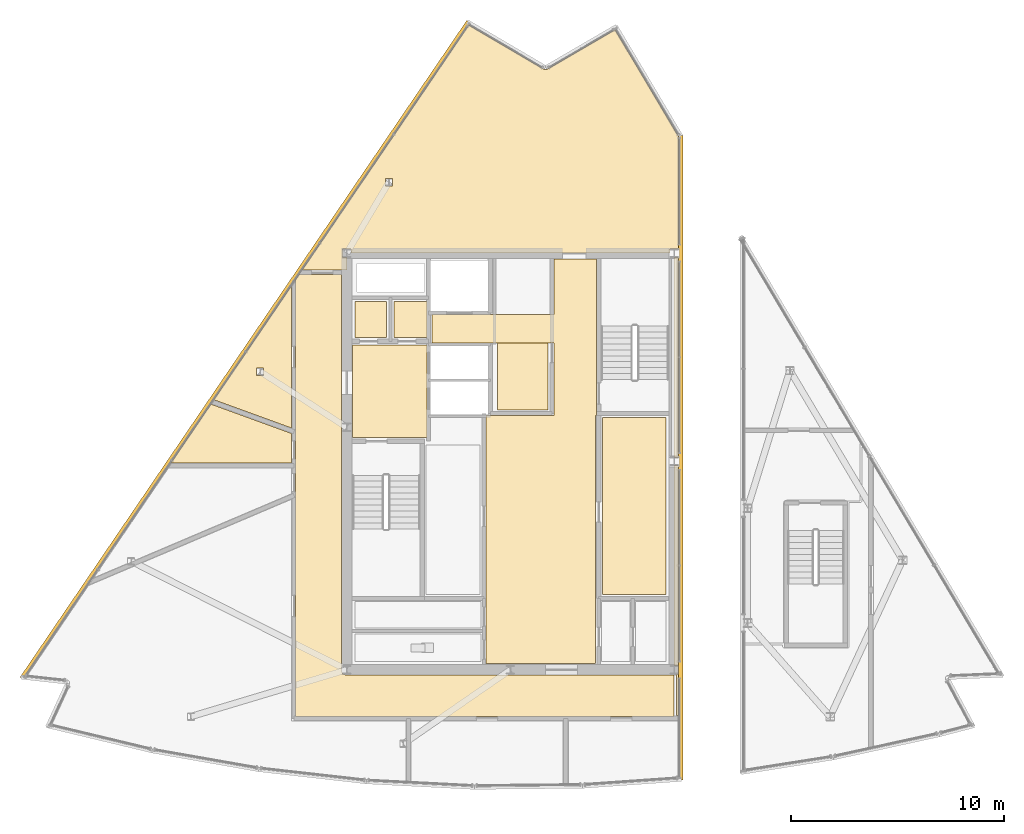
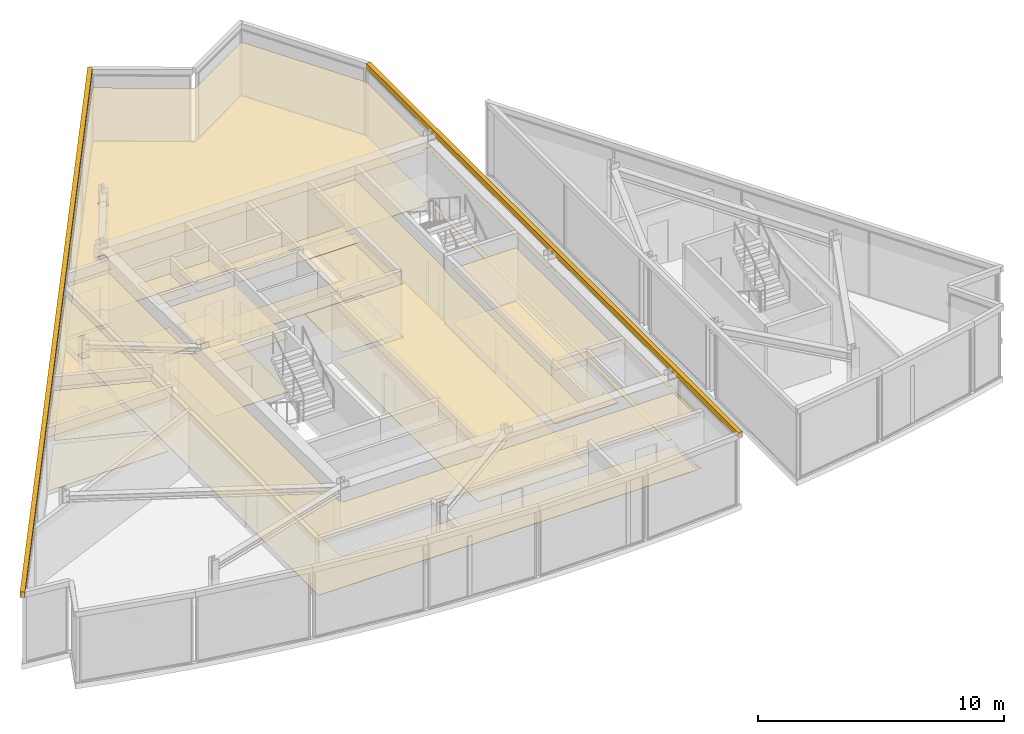
# One storey, part 12 of 15: 22 coverings.
"""IFC4 building model written with IfcOpenShell, lengths in metres."""

from ifc_helpers import new_model, si_unit, direction, frame, origin, place, context, subcontext, project, spatial, polyline, outline, extrude, material, layer, layer_set, type_object, element, save


model = new_model("IFC4")

# Units and contexts
model_context = context("Model", 3, precision=1e-05, world=origin(), true_north=direction((0.0, 1.0)))
body_context = subcontext(model_context, "Body", "Model", "MODEL_VIEW")
ifc_project = project(units=[si_unit("LENGTHUNIT", "METRE"), si_unit("AREAUNIT", "SQUARE_METRE"), si_unit("VOLUMEUNIT", "CUBIC_METRE"), si_unit("PLANEANGLEUNIT", "RADIAN"), si_unit("MASSUNIT", "GRAM", prefix="KILO")], contexts=[model_context])

# Site, building, storey
site_placement = place(None, origin())
site = spatial("IfcSite", under=ifc_project, at=site_placement, CompositionType="ELEMENT")
building_placement = place(site_placement, origin())
building = spatial("IfcBuilding", under=site, at=building_placement, Name="Savorim Split Tower", CompositionType="ELEMENT")
storey_placement = place(building_placement, frame((0.0, 0.0, 308.39990234375)))
storey = spatial("IfcBuildingStorey", under=building, at=storey_placement, Name="Crown L82 Plant", CompositionType="ELEMENT", Elevation=308.39990234375)

# Coverings
ifc_material_1 = material(Name="Mineral Fibre Acoustic Ceiling")
ifc_layer_1 = layer(ifc_material_1, 0.02490234375)
ifc_layer_set_1 = layer_set([ifc_layer_1], Name="COV-CEIL-25")
covering_type_1 = type_object("IfcCoveringType", Name="COV-CEIL-25", PredefinedType="CEILING", material=ifc_layer_set_1)
covering_1_placement = place(storey_placement, frame((0.0, 0.0, 2.66015625)))
element("IfcCovering", 1, at=covering_1_placement, inside=storey, type_object=covering_type_1, Name="Crown L82 Plant Crown Stair Lobby Acoustic Ceiling", PredefinedType="CEILING", context=body_context, shape_type="SweptSolid", body=[
    extrude(outline(polyline([(-7.429931640625, 5.8701171875), (-7.429931640625, 1.530029296875), (-3.929931640625, 1.530029296875), (-3.929931640625, 5.8701171875), (-7.429931640625, 5.8701171875)])), origin(), (0.0, 0.0, 1.0), 0.02490234375),
])
covering_2_placement = place(storey_placement, frame((0.0, 0.0, 2.66015625)))
element("IfcCovering", 2, at=covering_2_placement, inside=storey, type_object=covering_type_1, Name="Crown L82 Plant Electrical Riser Acoustic Ceiling", PredefinedType="CEILING", context=body_context, shape_type="SweptSolid", body=[
    extrude(outline(polyline([(-7.320068359375, 7.919921875), (-7.320068359375, 6.22998046875), (-5.830078125, 6.22998046875), (-5.830078125, 7.919921875), (-7.320068359375, 7.919921875)])), origin(), (0.0, 0.0, 1.0), 0.02490234375),
])
covering_3_placement = place(storey_placement, frame((0.0, 0.0, 2.66015625)))
element("IfcCovering", 3, at=covering_3_placement, inside=storey, type_object=covering_type_1, Name="Crown L82 Plant Telecom Riser Acoustic Ceiling", PredefinedType="CEILING", context=body_context, shape_type="SweptSolid", body=[
    extrude(outline(polyline([(-5.469970703125, 7.919921875), (-5.469970703125, 6.22998046875), (-3.929931640625, 6.22998046875), (-3.929931640625, 7.919921875), (-5.469970703125, 7.919921875)])), origin(), (0.0, 0.0, 1.0), 0.02490234375),
])
covering_4_placement = place(storey_placement, frame((0.0, 0.0, 2.66015625)))
element("IfcCovering", 4, at=covering_4_placement, inside=storey, type_object=covering_type_1, Name="Crown L82 Plant Lift Lobby Acoustic Ceiling", PredefinedType="CEILING", context=body_context, shape_type="SweptSolid", body=[
    extrude(outline(polyline([(2.050048828125, 2.550048828125), (-1.14990234375, 2.550048828125), (-1.14990234375, -9.10009765625), (4.0, -9.10009765625), (4.0, 2.550048828125), (4.050048828125, 2.550048828125), (4.050048828125, 5.97998046875), (4.050048828125, 7.300048828125), (4.050048828125, 9.929931640625), (2.050048828125, 9.929931640625), (2.050048828125, 7.300048828125), (-3.699951171875, 7.300048828125), (-3.699951171875, 5.97998046875), (2.050048828125, 5.97998046875), (2.050048828125, 2.550048828125)])), origin(), (0.0, 0.0, 1.0), 0.02490234375),
])
covering_5_placement = place(storey_placement, frame((0.0, 0.0, 2.66015625)))
element("IfcCovering", 5, at=covering_5_placement, inside=storey, type_object=covering_type_1, Name="Crown L82 Plant Substructure Core Store East Acoustic Ceiling", PredefinedType="CEILING", context=body_context, shape_type="SweptSolid", body=[
    extrude(outline(polyline([(4.330078125, 2.469970703125), (4.330078125, -5.8701171875), (7.320068359375, -5.8701171875), (7.320068359375, 2.469970703125), (4.330078125, 2.469970703125)])), origin(), (0.0, 0.0, 1.0), 0.02490234375),
])
covering_6_placement = place(storey_placement, frame((0.0, 0.0, 2.66015625)))
element("IfcCovering", 6, at=covering_6_placement, inside=storey, type_object=covering_type_1, Name="Crown L82 Plant Crown BMS Plant Room Acoustic Ceiling", PredefinedType="CEILING", context=body_context, shape_type="SweptSolid", body=[
    extrude(outline(polyline([(1.77001953125, 5.969970703125), (-0.60009765625, 5.969970703125), (-0.60009765625, 2.830078125), (1.77001953125, 2.830078125), (1.77001953125, 5.969970703125)])), origin(), (0.0, 0.0, 1.0), 0.02490234375),
])
covering_7_placement = place(storey_placement, frame((0.0, 0.0, 2.66015625)))
element("IfcCovering", 7, at=covering_7_placement, inside=storey, type_object=covering_type_1, Name="Crown L82 Plant Plant Corridor Acoustic Ceiling", PredefinedType="CEILING", context=body_context, shape_type="SweptSolid", body=[
    extrude(outline(polyline([(-10.10009765625, -11.60009765625), (-7.699951171875, -11.60009765625), (7.699951171875, -11.60009765625), (7.699951171875, -9.64990234375), (-7.699951171875, -9.64990234375), (-7.724609375, -9.648681640625), (-7.748779296875, -9.645263671875), (-7.772705078125, -9.63916015625), (-7.795654296875, -9.631103515625), (-7.81787109375, -9.62060546875), (-7.8388671875, -9.60791015625), (-7.85498046875, -9.595947265625), (-7.89697265625, -9.595947265625), (-7.89697265625, -9.553466796875), (-7.907958984375, -9.538818359375), (-7.92041015625, -9.517822265625), (-7.930908203125, -9.49560546875), (-7.939208984375, -9.47265625), (-7.9453125, -9.44873046875), (-7.94873046875, -9.424560546875), (-7.949951171875, -9.39990234375), (-7.949951171875, 9.199951171875), (-9.93798828125, 9.199951171875), (-10.10009765625, 8.9619140625), (-10.10009765625, -9.39990234375), (-10.10009765625, -11.60009765625)])), origin(), (0.0, 0.0, 1.0), 0.02490234375),
])
covering_8_placement = place(storey_placement, frame((0.0, 0.0, 2.66015625)))
element("IfcCovering", 8, at=covering_8_placement, inside=storey, type_object=covering_type_1, Name="Crown L82 Plant Heat Recovery Plant Room Acoustic Ceiling", PredefinedType="CEILING", context=body_context, shape_type="SweptSolid", body=[
    extrude(outline(polyline([(1.59228515625, 18.837890625), (1.580322265625, 18.843994140625), (-1.961181640625, 20.925537109375), (-9.802001953125, 9.39990234375), (-7.699951171875, 9.39990234375), (-7.699951171875, 10.00390625), (-7.89697265625, 10.00390625), (-7.89697265625, 10.39599609375), (-7.5029296875, 10.39599609375), (-7.5029296875, 10.199951171875), (7.5029296875, 10.199951171875), (7.5029296875, 10.39599609375), (7.89697265625, 10.39599609375), (7.89697265625, 10.00390625), (7.699951171875, 10.00390625), (7.699951171875, 0.595947265625), (7.89697265625, 0.595947265625), (7.89697265625, 0.2041015625), (7.699951171875, 0.2041015625), (7.699951171875, -9.2041015625), (7.89697265625, -9.2041015625), (7.89697265625, -9.595947265625), (7.820068359375, -9.595947265625), (7.820068359375, -11.56005859375), (7.909912109375, -11.56005859375), (7.909912109375, 15.68505859375), (4.922607421875, 20.70947265625), (1.7216796875, 18.84375), (1.709716796875, 18.837646484375), (1.697265625, 18.83251953125), (1.684326171875, 18.828857421875), (1.671142578125, 18.826171875), (1.65771484375, 18.824951171875), (1.644287109375, 18.824951171875), (1.630859375, 18.826416015625), (1.61767578125, 18.828857421875), (1.604736328125, 18.832763671875), (1.59228515625, 18.837890625)]), holes=[polyline([(-5.545166015625, 13.71728515625), (-5.875244140625, 13.71728515625), (-5.875244140625, 13.3671875), (-5.545166015625, 13.3671875), (-5.545166015625, 13.71728515625)])]), origin(), (0.0, 0.0, 1.0), 0.02490234375),
])
covering_9_placement = place(storey_placement, frame((0.0, 0.0, 2.66015625)))
element("IfcCovering", 9, at=covering_9_placement, inside=storey, type_object=covering_type_1, Name="Crown L82 Plant HV Switchgear Plant Room Acoustic Ceiling", PredefinedType="CEILING", context=body_context, shape_type="SweptSolid", body=[
    extrude(outline(polyline([(-13.950439453125, 3.301513671875), (-10.300048828125, 1.971435546875), (-10.300048828125, 8.667724609375), (-13.950439453125, 3.301513671875)]), holes=[polyline([(-11.6103515625, 4.451904296875), (-11.6103515625, 4.8017578125), (-11.940185546875, 4.8017578125), (-11.940185546875, 4.451904296875), (-11.6103515625, 4.451904296875)])]), origin(), (0.0, 0.0, 1.0), 0.02490234375),
])
covering_10_placement = place(storey_placement, frame((0.0, 0.0, 2.66015625)))
element("IfcCovering", 10, at=covering_10_placement, inside=storey, type_object=covering_type_1, Name="Crown L82 Plant AHU Mechanical Plant Room Acoustic Ceiling", PredefinedType="CEILING", context=body_context, shape_type="SweptSolid", body=[
    extrude(outline(polyline([(-10.300048828125, 0.320068359375), (-10.300048828125, 1.716064453125), (-14.08984375, 3.096923828125), (-15.978759765625, 0.320068359375), (-10.300048828125, 0.320068359375)])), origin(), (0.0, 0.0, 1.0), 0.02490234375),
])
ifc_material_2 = material(Name="Terracotta Ceramic-Coated Aluminium Fin", Category="masonry")
ifc_layer_2 = layer(ifc_material_2, 0.050048828125)
ifc_layer_set_2 = layer_set([ifc_layer_2], Name="COV-CLAD-TERRA")
covering_type_2 = type_object("IfcCoveringType", Name="COV-CLAD-TERRA", PredefinedType="CLADDING", material=ifc_layer_set_2)
covering_11_placement = place(storey_placement, frame((0.0, 0.0, 3.340087890625)))
element("IfcCovering", 11, at=covering_11_placement, inside=storey, type_object=covering_type_2, Name="Crown L82 Plant Sloped Crest Eave Spandrel W1", PredefinedType="CLADDING", context=body_context, shape_type="SweptSolid", body=[
    extrude(outline(polyline([(8.110107421875, -14.59228515625), (8.110107421875, 15.7236328125), (7.909912109375, 15.7236328125), (7.909912109375, -14.59228515625), (8.110107421875, -14.59228515625)])), origin(), (0.0, 0.0, 1.0), 0.260009765625),
])
covering_12_placement = place(storey_placement, frame((0.0, 0.0, 3.340087890625)))
element("IfcCovering", 12, at=covering_12_placement, inside=storey, type_object=covering_type_2, Name="Crown L82 Plant Sloped Crest Eave Spandrel W5", PredefinedType="CLADDING", context=body_context, shape_type="SweptSolid", body=[
    extrude(outline(polyline([(-2.052978515625, 21.146484375), (-23.070556640625, -9.7490234375), (-22.905029296875, -9.861572265625), (-1.887451171875, 21.033935546875), (-2.052978515625, 21.146484375)])), origin(), (0.0, 0.0, 1.0), 0.260009765625),
])
ifc_material_3 = material(Name="Porcelain Stoneware Flooring", Category="masonry")
ifc_layer_3 = layer(ifc_material_3, 0.02001953125)
ifc_layer_set_3 = layer_set([ifc_layer_3], Name="COV-FLOR-20")
covering_type_3 = type_object("IfcCoveringType", Name="COV-FLOR-20", PredefinedType="FLOORING", material=ifc_layer_set_3)
covering_13_placement = place(storey_placement, origin())
element("IfcCovering", 13, at=covering_13_placement, inside=storey, type_object=covering_type_3, Name="Crown L82 Plant Crown Stair Lobby Porcelain Flooring", PredefinedType="FLOORING", context=body_context, shape_type="SweptSolid", body=[
    extrude(outline(polyline([(-7.429931640625, 5.8701171875), (-7.429931640625, 1.530029296875), (-3.929931640625, 1.530029296875), (-3.929931640625, 5.8701171875), (-7.429931640625, 5.8701171875)])), origin(), (0.0, 0.0, 1.0), 0.02001953125),
])
covering_14_placement = place(storey_placement, origin())
element("IfcCovering", 14, at=covering_14_placement, inside=storey, type_object=covering_type_3, Name="Crown L82 Plant Electrical Riser Porcelain Flooring", PredefinedType="FLOORING", context=body_context, shape_type="SweptSolid", body=[
    extrude(outline(polyline([(-7.320068359375, 7.919921875), (-7.320068359375, 6.22998046875), (-5.830078125, 6.22998046875), (-5.830078125, 7.919921875), (-7.320068359375, 7.919921875)])), origin(), (0.0, 0.0, 1.0), 0.02001953125),
])
covering_15_placement = place(storey_placement, origin())
element("IfcCovering", 15, at=covering_15_placement, inside=storey, type_object=covering_type_3, Name="Crown L82 Plant Telecom Riser Porcelain Flooring", PredefinedType="FLOORING", context=body_context, shape_type="SweptSolid", body=[
    extrude(outline(polyline([(-5.469970703125, 7.919921875), (-5.469970703125, 6.22998046875), (-3.929931640625, 6.22998046875), (-3.929931640625, 7.919921875), (-5.469970703125, 7.919921875)])), origin(), (0.0, 0.0, 1.0), 0.02001953125),
])
covering_16_placement = place(storey_placement, origin())
element("IfcCovering", 16, at=covering_16_placement, inside=storey, type_object=covering_type_3, Name="Crown L82 Plant Lift Lobby Porcelain Flooring", PredefinedType="FLOORING", context=body_context, shape_type="SweptSolid", body=[
    extrude(outline(polyline([(2.050048828125, 2.550048828125), (-1.14990234375, 2.550048828125), (-1.14990234375, -9.10009765625), (4.0, -9.10009765625), (4.0, 2.550048828125), (4.050048828125, 2.550048828125), (4.050048828125, 5.97998046875), (4.050048828125, 7.300048828125), (4.050048828125, 9.929931640625), (2.050048828125, 9.929931640625), (2.050048828125, 7.300048828125), (-3.699951171875, 7.300048828125), (-3.699951171875, 5.97998046875), (2.050048828125, 5.97998046875), (2.050048828125, 2.550048828125)])), origin(), (0.0, 0.0, 1.0), 0.02001953125),
])
covering_17_placement = place(storey_placement, origin())
element("IfcCovering", 17, at=covering_17_placement, inside=storey, type_object=covering_type_3, Name="Crown L82 Plant Substructure Core Store East Porcelain Flooring", PredefinedType="FLOORING", context=body_context, shape_type="SweptSolid", body=[
    extrude(outline(polyline([(4.330078125, 2.469970703125), (4.330078125, -5.8701171875), (7.320068359375, -5.8701171875), (7.320068359375, 2.469970703125), (4.330078125, 2.469970703125)])), origin(), (0.0, 0.0, 1.0), 0.02001953125),
])
covering_18_placement = place(storey_placement, origin())
element("IfcCovering", 18, at=covering_18_placement, inside=storey, type_object=covering_type_3, Name="Crown L82 Plant Crown BMS Plant Room Porcelain Flooring", PredefinedType="FLOORING", context=body_context, shape_type="SweptSolid", body=[
    extrude(outline(polyline([(1.77001953125, 5.969970703125), (-0.60009765625, 5.969970703125), (-0.60009765625, 2.830078125), (1.77001953125, 2.830078125), (1.77001953125, 5.969970703125)])), origin(), (0.0, 0.0, 1.0), 0.02001953125),
])
covering_19_placement = place(storey_placement, origin())
element("IfcCovering", 19, at=covering_19_placement, inside=storey, type_object=covering_type_3, Name="Crown L82 Plant Plant Corridor Porcelain Flooring", PredefinedType="FLOORING", context=body_context, shape_type="SweptSolid", body=[
    extrude(outline(polyline([(-10.10009765625, -11.60009765625), (-7.699951171875, -11.60009765625), (7.699951171875, -11.60009765625), (7.699951171875, -9.64990234375), (-7.699951171875, -9.64990234375), (-7.724609375, -9.648681640625), (-7.748779296875, -9.645263671875), (-7.772705078125, -9.63916015625), (-7.795654296875, -9.631103515625), (-7.81787109375, -9.62060546875), (-7.8388671875, -9.60791015625), (-7.85498046875, -9.595947265625), (-7.89697265625, -9.595947265625), (-7.89697265625, -9.553466796875), (-7.907958984375, -9.538818359375), (-7.92041015625, -9.517822265625), (-7.930908203125, -9.49560546875), (-7.939208984375, -9.47265625), (-7.9453125, -9.44873046875), (-7.94873046875, -9.424560546875), (-7.949951171875, -9.39990234375), (-7.949951171875, 9.199951171875), (-9.93798828125, 9.199951171875), (-10.10009765625, 8.9619140625), (-10.10009765625, -9.39990234375), (-10.10009765625, -11.60009765625)])), origin(), (0.0, 0.0, 1.0), 0.02001953125),
])
covering_20_placement = place(storey_placement, origin())
element("IfcCovering", 20, at=covering_20_placement, inside=storey, type_object=covering_type_3, Name="Crown L82 Plant Heat Recovery Plant Room Porcelain Flooring", PredefinedType="FLOORING", context=body_context, shape_type="SweptSolid", body=[
    extrude(outline(polyline([(1.59228515625, 18.837890625), (1.580322265625, 18.843994140625), (-1.961181640625, 20.925537109375), (-9.802001953125, 9.39990234375), (-7.699951171875, 9.39990234375), (-7.699951171875, 10.00390625), (-7.89697265625, 10.00390625), (-7.89697265625, 10.39599609375), (-7.5029296875, 10.39599609375), (-7.5029296875, 10.199951171875), (7.5029296875, 10.199951171875), (7.5029296875, 10.39599609375), (7.89697265625, 10.39599609375), (7.89697265625, 10.00390625), (7.699951171875, 10.00390625), (7.699951171875, 0.595947265625), (7.89697265625, 0.595947265625), (7.89697265625, 0.2041015625), (7.699951171875, 0.2041015625), (7.699951171875, -9.2041015625), (7.89697265625, -9.2041015625), (7.89697265625, -9.595947265625), (7.820068359375, -9.595947265625), (7.820068359375, -11.56005859375), (7.909912109375, -11.56005859375), (7.909912109375, 15.68505859375), (4.922607421875, 20.70947265625), (1.7216796875, 18.84375), (1.709716796875, 18.837646484375), (1.697265625, 18.83251953125), (1.684326171875, 18.828857421875), (1.671142578125, 18.826171875), (1.65771484375, 18.824951171875), (1.644287109375, 18.824951171875), (1.630859375, 18.826416015625), (1.61767578125, 18.828857421875), (1.604736328125, 18.832763671875), (1.59228515625, 18.837890625)]), holes=[polyline([(-5.545166015625, 13.71728515625), (-5.875244140625, 13.71728515625), (-5.875244140625, 13.3671875), (-5.545166015625, 13.3671875), (-5.545166015625, 13.71728515625)])]), origin(), (0.0, 0.0, 1.0), 0.02001953125),
])
covering_21_placement = place(storey_placement, origin())
element("IfcCovering", 21, at=covering_21_placement, inside=storey, type_object=covering_type_3, Name="Crown L82 Plant HV Switchgear Plant Room Porcelain Flooring", PredefinedType="FLOORING", context=body_context, shape_type="SweptSolid", body=[
    extrude(outline(polyline([(-13.950439453125, 3.301513671875), (-10.300048828125, 1.971435546875), (-10.300048828125, 8.667724609375), (-13.950439453125, 3.301513671875)]), holes=[polyline([(-11.6103515625, 4.451904296875), (-11.6103515625, 4.8017578125), (-11.940185546875, 4.8017578125), (-11.940185546875, 4.451904296875), (-11.6103515625, 4.451904296875)])]), origin(), (0.0, 0.0, 1.0), 0.02001953125),
])
covering_22_placement = place(storey_placement, origin())
element("IfcCovering", 22, at=covering_22_placement, inside=storey, type_object=covering_type_3, Name="Crown L82 Plant AHU Mechanical Plant Room Porcelain Flooring", PredefinedType="FLOORING", context=body_context, shape_type="SweptSolid", body=[
    extrude(outline(polyline([(-10.300048828125, 0.320068359375), (-10.300048828125, 1.716064453125), (-14.08984375, 3.096923828125), (-15.978759765625, 0.320068359375), (-10.300048828125, 0.320068359375)])), origin(), (0.0, 0.0, 1.0), 0.02001953125),
])

save(model, "model.ifc")
